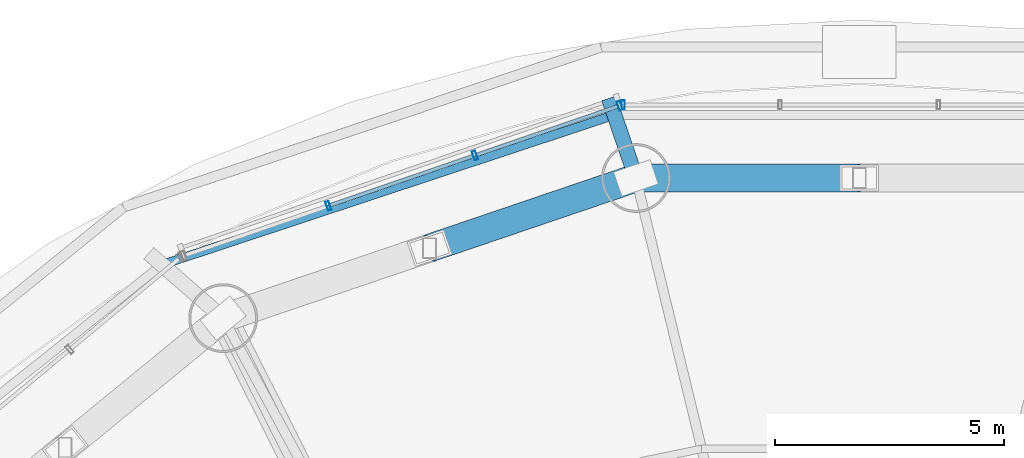
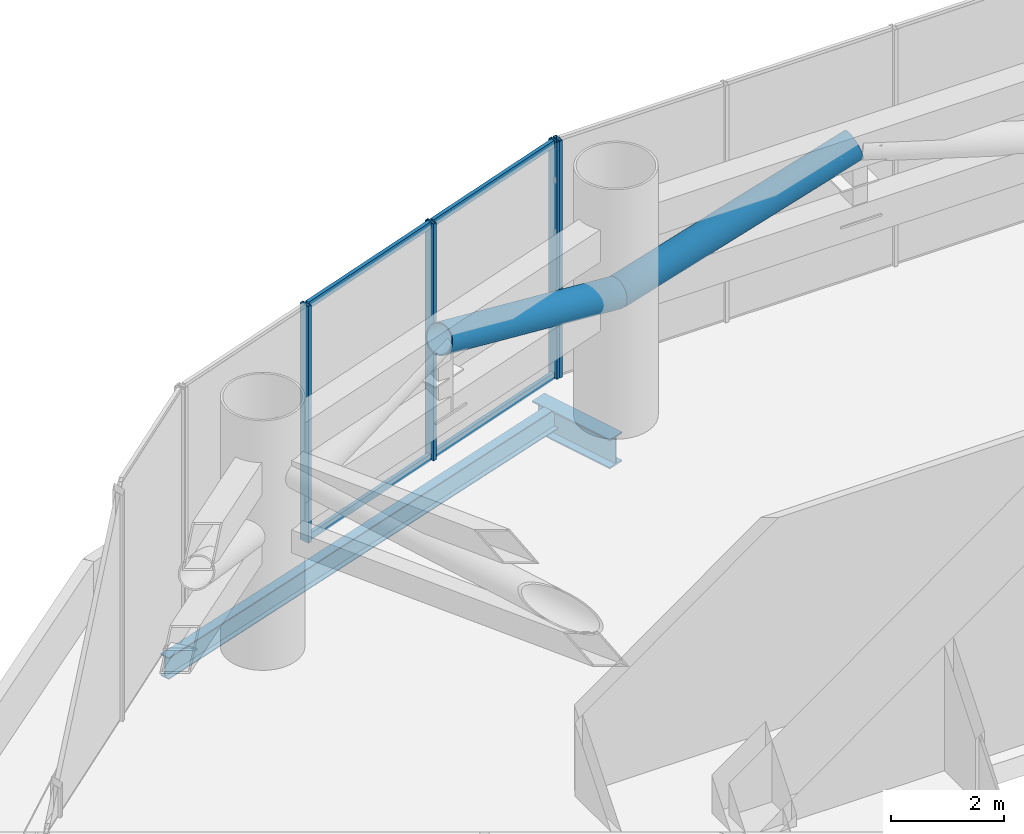
# One storey, part 20 of 33: 10 members, 2 beams, 2 elements without a shape of their own.
"""IFC4 building model written with IfcOpenShell, lengths in metres."""

from ifc_helpers import new_model, si_unit, direction, frame, origin, origin_2d, place, context, subcontext, project, spatial, hollow_rectangle, hollow_circle, i_section, extrude, source, transform, mapped, material, material_profile, profile_set, type_object, element, aggregate, save


model = new_model("IFC4")

# Units and contexts
model_context = context("Model", 3, precision=1e-05, world=origin(), true_north=direction((-0.2419218956, 0.970295726276)))
body_context = subcontext(model_context, "Body", "Model", "MODEL_VIEW")
ifc_project = project(units=[si_unit("LENGTHUNIT", "METRE"), si_unit("AREAUNIT", "SQUARE_METRE"), si_unit("VOLUMEUNIT", "CUBIC_METRE"), si_unit("PLANEANGLEUNIT", "RADIAN"), si_unit("MASSUNIT", "GRAM", prefix="KILO")], contexts=[model_context])

# Site, building, storey
site_placement = place(None, origin())
site = spatial("IfcSite", under=ifc_project, at=site_placement, CompositionType="ELEMENT")
building_placement = place(site_placement, origin())
building = spatial("IfcBuilding", under=site, at=building_placement, Name="Cobrevalo Terracotta Tower", CompositionType="ELEMENT")
storey_placement = place(building_placement, frame((0.0, 0.0, 74.39990234375)))
storey = spatial("IfcBuildingStorey", under=building, at=storey_placement, Name="L19", CompositionType="ELEMENT", Elevation=74.39990234375)

# Beams
ifc_material_1 = material(Name="Steel S355", Category="steel")
ifc_material_profile_1 = material_profile(ifc_material_1, i_section(OverallWidth=0.3291015625, OverallDepth=0.635009765625, WebThickness=0.017822265625, FlangeThickness=0.031005859375, at=origin_2d()), Name="W 610x241")
ifc_profile_set_1 = profile_set([ifc_material_profile_1], Name="Steel S355")
beam_type_1 = type_object("IfcBeamType", Name="Structural Beam W 610x241 (Steel S355)", PredefinedType="BEAM", material=ifc_profile_set_1)
beam_1_placement = place(storey_placement, frame((32.541748046875, 48.58984375, -0.767333984375), z_axis=(0.322741812578, -0.946487042919, 0.0), x_axis=(0.946487042919, 0.322741812578, 0.0)))
element("IfcBeam", 1, at=beam_1_placement, inside=storey, type_object=beam_type_1, Name="L19 setback step-link girder 05", PredefinedType="BEAM", context=body_context, shape_type="SweptSolid", body=[
    extrude(i_section(OverallWidth=0.3291015625, OverallDepth=0.635009765625, WebThickness=0.017822265625, FlangeThickness=0.031005859375, at=origin_2d()), origin(), (0.0, 0.0, 1.0), 1.83056640625),
])
ifc_material_profile_2 = material_profile(ifc_material_1, i_section(OverallWidth=0.194091796875, OverallDepth=0.468994140625, WebThickness=0.011474609375, FlangeThickness=0.0205078125, at=origin_2d()), Name="W 460x106")
ifc_profile_set_2 = profile_set([ifc_material_profile_2], Name="Steel S355")
beam_type_2 = type_object("IfcBeamType", Name="Structural Spandrel W 460x106 (Steel S355)", PredefinedType="SPANDREL", material=ifc_profile_set_2)
beam_2_placement = place(storey_placement, frame((32.664306640625, 48.230224609375, -0.684326171875), z_axis=(-0.949365190876, -0.314174687638, 0.0), x_axis=(0.314174687638, -0.949365190876, 0.0)))
element("IfcBeam", 2, at=beam_2_placement, inside=storey, type_object=beam_type_2, Name="L19 perimeter ring spandrel 05", PredefinedType="SPANDREL", context=body_context, shape_type="SweptSolid", body=[
    extrude(i_section(OverallWidth=0.194091796875, OverallDepth=0.468994140625, WebThickness=0.011474609375, FlangeThickness=0.0205078125, at=origin_2d()), origin(), (0.0, 0.0, 1.0), 10.385009765625),
])

# Members
ifc_material_profile_3 = material_profile(ifc_material_1, hollow_circle(Radius=0.304931640625, WallThickness=0.02490234375, at=origin_2d()), Name="CHS 610x25")
ifc_profile_set_3 = profile_set([ifc_material_profile_3], Name="Steel S355")
member_type_1 = type_object("IfcMemberType", Name="Steel Brace CHS 610x25 (Steel S355)", PredefinedType="BRACE", material=ifc_profile_set_3)
shared_shape_1 = source(origin(), body_context, "Body", "SweptSolid", [
    extrude(hollow_circle(Radius=0.304931640625, WallThickness=0.02490234375, at=origin_2d()), origin(), (0.0, 0.0, 1.0), 4.97900390625),
])
member_1_placement = place(storey_placement, frame((33.132568359375, 46.857177734375, 2.650146484375), z_axis=(-0.903223320473, -0.30666442162, 0.300240846431), x_axis=(0.32149720126, -0.946910528816, 0.0)))
element("IfcMember", 3, at=member_1_placement, inside=storey, type_object=member_type_1, Name="L19 belt truss diagonal brace 05-D1", PredefinedType="BRACE", context=body_context, shape_type="MappedRepresentation", body=[
    mapped(shared_shape_1, transform((0.0, 0.0, 0.0), scale=1.0)),
])
shared_shape_2 = source(origin(), body_context, "Body", "SweptSolid", [
    extrude(hollow_circle(Radius=0.304931640625, WallThickness=0.02490234375, at=origin_2d()), origin(), (0.0, 0.0, 1.0), 5.091796875),
])
member_2_placement = place(storey_placement, frame((33.132568359375, 46.857177734375, 2.650146484375), z_axis=(0.955933346232, 0.0, 0.293583782865), x_axis=(0.0, 1.0, 0.0)))
element("IfcMember", 4, at=member_2_placement, inside=storey, type_object=member_type_1, Name="L19 belt truss diagonal brace 04-D2", PredefinedType="BRACE", context=body_context, shape_type="MappedRepresentation", body=[
    mapped(shared_shape_2, transform((0.0, 0.0, 0.0), scale=1.0)),
])

# Curtain wall, member
ifc_material_2 = material(Name="Anodized aluminium", Category="aluminium")
curtain_wall_type = type_object("IfcCurtainWallType", Name="Belt-truss plant acoustic weather-louvre curtain wall CW-LV", PredefinedType="NOTDEFINED", material=ifc_material_2)
curtain_wall_1_placement = place(storey_placement, origin())
curtain_wall_1 = element("IfcCurtainWall", 5, at=curtain_wall_1_placement, inside=storey, type_object=curtain_wall_type, Name="L19 curtain wall CW-LV-L19-S04", PredefinedType="NOTDEFINED")
ifc_material_profile_4 = material_profile(ifc_material_2, hollow_rectangle(XDim=0.074951171875, YDim=0.199951171875, WallThickness=0.0048828125, at=origin_2d()), Name="CWM 75x200")
ifc_profile_set_4 = profile_set([ifc_material_profile_4], Name="Anodized aluminium")
member_type_2 = type_object("IfcMemberType", Name="Lower/mid tower unitised mullion 75x200", PredefinedType="MULLION", material=ifc_profile_set_4)
shared_shape_3 = source(origin(), body_context, "Body", "SweptSolid", [
    extrude(hollow_rectangle(XDim=0.074951171875, YDim=0.199951171875, WallThickness=0.0048828125, at=origin_2d()), origin(), (0.0, 0.0, 1.0), 5.125),
])
member_3_placement = place(storey_placement, frame((32.8564453125, 48.446044921875, 0.0), z_axis=(0.0, 0.0, 1.0), x_axis=(-1.0, 0.0, 0.0)))
member_3 = element("IfcMember", 6, at=member_3_placement, type_object=member_type_2, Name="CW-LV-L19-S04 vertical mullion 04", PredefinedType="MULLION", context=body_context, shape_type="MappedRepresentation", body=[
    mapped(shared_shape_3, transform((0.0, 0.0, 0.0), scale=1.0)),
])
aggregate(curtain_wall_1, [member_3])

# Curtain wall, members
curtain_wall_2_placement = place(storey_placement, origin())
curtain_wall_2 = element("IfcCurtainWall", 7, at=curtain_wall_2_placement, inside=storey, type_object=curtain_wall_type, Name="L19 curtain wall CW-LV-L19-S05", PredefinedType="NOTDEFINED")
member_4_placement = place(storey_placement, frame((32.778564453125, 48.432861328125, 0.0), z_axis=(0.0, 0.0, 1.0), x_axis=(-0.94559809868, -0.325337110968, 0.0)))
member_4 = element("IfcMember", 8, at=member_4_placement, type_object=member_type_2, Name="CW-LV-L19-S05 vertical mullion 01", PredefinedType="MULLION", context=body_context, shape_type="MappedRepresentation", body=[
    mapped(shared_shape_3, transform((0.0, 0.0, 0.0), scale=1.0)),
])
member_5_placement = place(storey_placement, frame((29.623779296875, 47.347412109375, 0.0), z_axis=(0.0, 0.0, 1.0), x_axis=(-0.94559809868, -0.325337110968, 0.0)))
member_5 = element("IfcMember", 9, at=member_5_placement, type_object=member_type_2, Name="CW-LV-L19-S05 vertical mullion 02", PredefinedType="MULLION", context=body_context, shape_type="MappedRepresentation", body=[
    mapped(shared_shape_3, transform((0.0, 0.0, 0.0), scale=1.0)),
])
member_6_placement = place(storey_placement, frame((26.43115234375, 46.2490234375, 0.0), z_axis=(0.0, 0.0, 1.0), x_axis=(-0.94559809868, -0.325337110968, 0.0)))
member_6 = element("IfcMember", 10, at=member_6_placement, type_object=member_type_2, Name="CW-LV-L19-S05 vertical mullion 03", PredefinedType="MULLION", context=body_context, shape_type="MappedRepresentation", body=[
    mapped(shared_shape_3, transform((0.0, 0.0, 0.0), scale=1.0)),
])
ifc_material_profile_5 = material_profile(ifc_material_2, hollow_rectangle(XDim=0.074951171875, YDim=0.14990234375, WallThickness=0.00439453125, at=origin_2d()), Name="CWT 75x150")
ifc_profile_set_5 = profile_set([ifc_material_profile_5], Name="Anodized aluminium")
member_type_3 = type_object("IfcMemberType", Name="Tower unitised aluminium transom 75x150", PredefinedType="USERDEFINED", material=ifc_profile_set_5)
shared_shape_4 = source(origin(), body_context, "Body", "SweptSolid", [
    extrude(hollow_rectangle(XDim=0.074951171875, YDim=0.14990234375, WallThickness=0.00439453125, at=origin_2d()), origin(), (0.0, 0.0, 1.0), 3.25634765625),
])
member_7_placement = place(storey_placement, frame((32.74072265625, 48.419921875, 0.050048828125), z_axis=(-0.945603013523, -0.325322825537, 0.0), x_axis=(0.325322825537, -0.945603013523, 0.0)))
member_7 = element("IfcMember", 11, at=member_7_placement, type_object=member_type_3, Name="CW-LV-L19-S05 transom B01-T1", ObjectType="TRANSOM", PredefinedType="USERDEFINED", context=body_context, shape_type="MappedRepresentation", body=[
    mapped(shared_shape_4, transform((0.0, 0.0, 0.0), scale=1.0)),
])
member_8_placement = place(storey_placement, frame((32.74072265625, 48.419921875, 5.0751953125), z_axis=(-0.945603013523, -0.325322825537, 0.0), x_axis=(0.325322825537, -0.945603013523, 0.0)))
member_8 = element("IfcMember", 12, at=member_8_placement, type_object=member_type_3, Name="CW-LV-L19-S05 transom B01-T2", ObjectType="TRANSOM", PredefinedType="USERDEFINED", context=body_context, shape_type="MappedRepresentation", body=[
    mapped(shared_shape_4, transform((0.0, 0.0, 0.0), scale=1.0)),
])
shared_shape_5 = source(origin(), body_context, "Body", "SweptSolid", [
    extrude(hollow_rectangle(XDim=0.074951171875, YDim=0.14990234375, WallThickness=0.00439453125, at=origin_2d()), origin(), (0.0, 0.0, 1.0), 3.29638671875),
])
member_9_placement = place(storey_placement, frame((29.5859375, 47.33447265625, 0.050048828125), z_axis=(-0.945587651291, -0.325367474906, 0.0), x_axis=(0.325367474906, -0.945587651291, 0.0)))
member_9 = element("IfcMember", 13, at=member_9_placement, type_object=member_type_3, Name="CW-LV-L19-S05 transom B02-T1", ObjectType="TRANSOM", PredefinedType="USERDEFINED", context=body_context, shape_type="MappedRepresentation", body=[
    mapped(shared_shape_5, transform((0.0, 0.0, 0.0), scale=1.0)),
])
member_10_placement = place(storey_placement, frame((29.5859375, 47.33447265625, 5.0751953125), z_axis=(-0.945587651291, -0.325367474906, 0.0), x_axis=(0.325367474906, -0.945587651291, 0.0)))
member_10 = element("IfcMember", 14, at=member_10_placement, type_object=member_type_3, Name="CW-LV-L19-S05 transom B02-T2", ObjectType="TRANSOM", PredefinedType="USERDEFINED", context=body_context, shape_type="MappedRepresentation", body=[
    mapped(shared_shape_5, transform((0.0, 0.0, 0.0), scale=1.0)),
])
aggregate(curtain_wall_2, [member_4, member_5, member_6, member_7, member_8, member_9, member_10])

save(model, "model.ifc")
